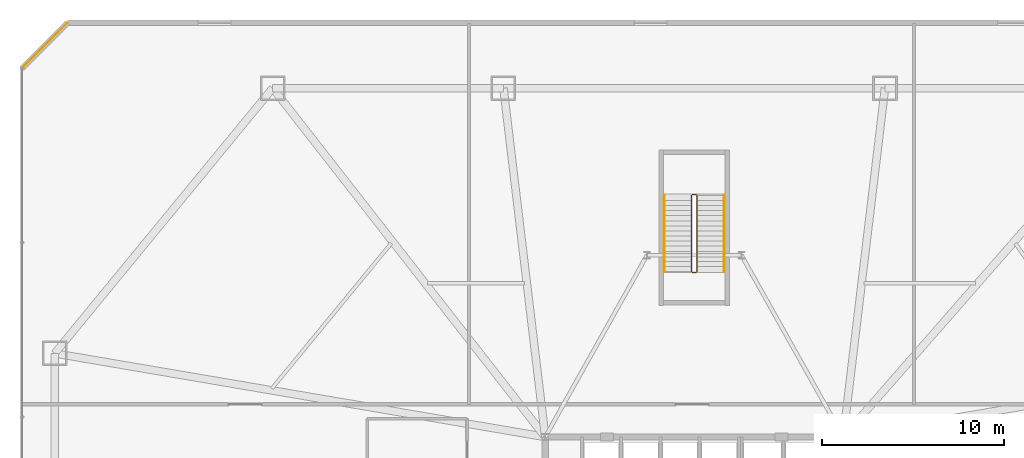
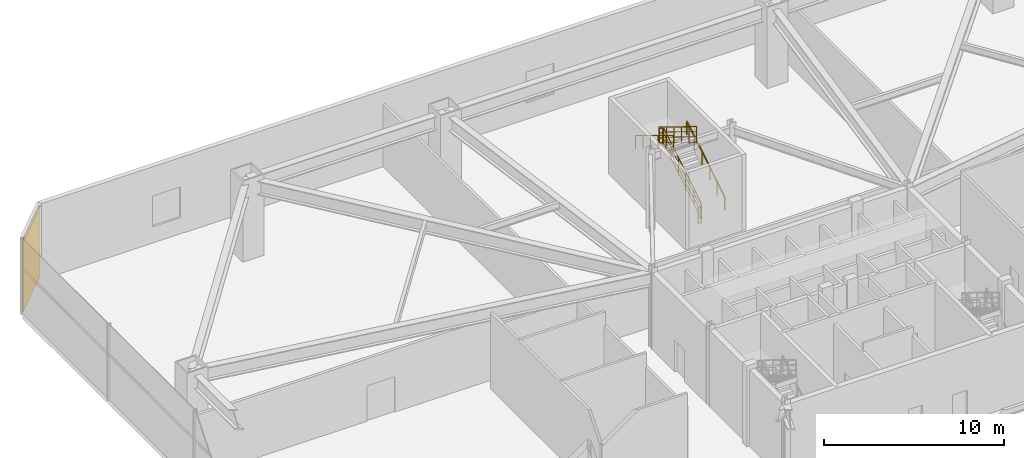
# One storey, part 19 of 20: 6 railings, 1 covering.
"""IFC4 building model written with IfcOpenShell, lengths in metres."""

from ifc_helpers import new_model, si_unit, direction, frame, frame_2d, origin, origin_2d, place, context, subcontext, project, spatial, rectangle, extrude, material, layer, layer_set, type_object, element, save


model = new_model("IFC4")

# Units and contexts
model_context = context("Model", 3, precision=1e-05, world=origin(), true_north=direction((0.0, 1.0)))
body_context = subcontext(model_context, "Body", "Model", "MODEL_VIEW")
ifc_project = project(units=[si_unit("LENGTHUNIT", "METRE"), si_unit("AREAUNIT", "SQUARE_METRE"), si_unit("VOLUMEUNIT", "CUBIC_METRE"), si_unit("PLANEANGLEUNIT", "RADIAN"), si_unit("MASSUNIT", "GRAM", prefix="KILO")], contexts=[model_context])

# Site, building, storey
site_placement = place(None, origin())
site = spatial("IfcSite", under=ifc_project, at=site_placement, CompositionType="ELEMENT")
building_placement = place(site_placement, origin())
building = spatial("IfcBuilding", under=site, at=building_placement, Name="Varakhsha Concourse Tower", CompositionType="ELEMENT")
storey_placement = place(building_placement, frame((0.0, 0.0, 11.0)))
storey = spatial("IfcBuildingStorey", under=building, at=storey_placement, Name="L03", CompositionType="ELEMENT", Elevation=11.0)

# Covering
ifc_material_1 = material(Name="Samarkand Glazed Terracotta Rainscreen Tile 32 mm", Category="masonry")
ifc_layer = layer(ifc_material_1, 0.031982421875, Name="COV-RAINSCREEN-32")
ifc_layer_set = layer_set([ifc_layer], Name="Samarkand Glazed Terracotta Rainscreen Tile 32 mm")
covering_type = type_object("IfcCoveringType", Name="COV-RAINSCREEN-32", PredefinedType="CLADDING", material=ifc_layer_set)
covering_placement = place(storey_placement, frame((5.5, 54.0, 0.10009765625), z_axis=(0.0, 0.0, 1.0), x_axis=(-0.707106781187, -0.707106781187, 0.0)))
element("IfcCovering", 1, at=covering_placement, inside=storey, type_object=covering_type, Name="L03 Terracotta Rainscreen Cladding 5", PredefinedType="CLADDING", context=body_context, shape_type="SweptSolid", body=[
    extrude(rectangle(XDim=3.53564453125, YDim=0.031982421875, at=frame_2d((1.767822265625, 0.0))), origin(), (0.0, 0.0, 1.0), 4.97998046875),
])

# Railings
ifc_material_2 = material(Name="Brushed Austenitic Stainless Steel AISI 316", Category="steel")
railing_type_1 = type_object("IfcRailingType", Name="RL-STAIR-GUARD-1100", PredefinedType="GUARDRAIL", material=ifc_material_2)
railing_1_placement = place(storey_placement, frame((40.14990234375, 40.300048828125, 0.171875)))
element("IfcRailing", 2, at=railing_1_placement, inside=storey, type_object=railing_type_1, Name="L03 ST5 stair guard 1", PredefinedType="GUARDRAIL", context=body_context, shape_type="SweptSolid", body=[
    extrude(rectangle(XDim=0.048095703125, YDim=0.048095703125, at=origin_2d()), frame((0.0, 0.0, 1.1259765625), z_axis=(0.0, 0.852242915053, 0.523146264196), x_axis=(-1.0, 0.0, 0.0)), (0.0, 0.0, 1.0), 4.92822265625),
    extrude(rectangle(XDim=0.028076171875, YDim=0.028076171875, at=origin_2d()), frame((0.0, 0.0, 0.080078125), z_axis=(0.0, 0.852242915053, 0.523146264196), x_axis=(-1.0, 0.0, 0.0)), (0.0, 0.0, 1.0), 4.92822265625),
    extrude(rectangle(XDim=0.028076171875, YDim=0.028076171875, at=origin_2d()), frame((0.0, 0.0, 0.43701171875), z_axis=(0.0, 0.852242915053, 0.523146264196), x_axis=(-1.0, 0.0, 0.0)), (0.0, 0.0, 1.0), 4.92822265625),
    extrude(rectangle(XDim=0.028076171875, YDim=0.028076171875, at=origin_2d()), frame((0.0, 0.0, 0.781982421875), z_axis=(0.0, 0.852242915053, 0.523146264196), x_axis=(-1.0, 0.0, 0.0)), (0.0, 0.0, 1.0), 4.92822265625),
    extrude(rectangle(XDim=0.0419921875, YDim=0.0419921875, at=origin_2d()), origin(), (0.0, 0.0, 1.0), 1.101806640625),
    extrude(rectangle(XDim=0.0419921875, YDim=0.0419921875, at=origin_2d()), frame((0.0, 0.840087890625, 0.515625)), (0.0, 0.0, 1.0), 1.101806640625),
    extrude(rectangle(XDim=0.0419921875, YDim=0.0419921875, at=origin_2d()), frame((0.0, 1.679931640625, 1.03125)), (0.0, 0.0, 1.0), 1.101806640625),
    extrude(rectangle(XDim=0.0419921875, YDim=0.0419921875, at=origin_2d()), frame((0.0, 2.52001953125, 1.546875)), (0.0, 0.0, 1.0), 1.101806640625),
    extrude(rectangle(XDim=0.0419921875, YDim=0.0419921875, at=origin_2d()), frame((0.0, 3.35986328125, 2.0625)), (0.0, 0.0, 1.0), 1.101806640625),
    extrude(rectangle(XDim=0.0419921875, YDim=0.0419921875, at=origin_2d()), frame((0.0, 4.199951171875, 2.578125)), (0.0, 0.0, 1.0), 1.101806640625),
])
railing_2_placement = place(storey_placement, frame((40.10009765625, 44.550048828125, 2.75)))
element("IfcRailing", 3, at=railing_2_placement, inside=storey, type_object=railing_type_1, Name="L03 ST5 stair guard 2", PredefinedType="GUARDRAIL", context=body_context, shape_type="SweptSolid", body=[
    extrude(rectangle(XDim=0.048095703125, YDim=0.048095703125, at=origin_2d()), frame((0.0, 0.0, 1.1259765625), z_axis=(-1.0, 0.0, 0.0), x_axis=(0.0, -1.0, 0.0)), (0.0, 0.0, 1.0), 0.2001953125),
    extrude(rectangle(XDim=0.028076171875, YDim=0.028076171875, at=origin_2d()), frame((0.0, 0.0, 0.080078125), z_axis=(-1.0, 0.0, 0.0), x_axis=(0.0, -1.0, 0.0)), (0.0, 0.0, 1.0), 0.2001953125),
    extrude(rectangle(XDim=0.028076171875, YDim=0.028076171875, at=origin_2d()), frame((0.0, 0.0, 0.43701171875), z_axis=(-1.0, 0.0, 0.0), x_axis=(0.0, -1.0, 0.0)), (0.0, 0.0, 1.0), 0.2001953125),
    extrude(rectangle(XDim=0.028076171875, YDim=0.028076171875, at=origin_2d()), frame((0.0, 0.0, 0.781982421875), z_axis=(-1.0, 0.0, 0.0), x_axis=(0.0, -1.0, 0.0)), (0.0, 0.0, 1.0), 0.2001953125),
    extrude(rectangle(XDim=0.0419921875, YDim=0.0419921875, at=origin_2d()), origin(), (0.0, 0.0, 1.0), 1.101806640625),
    extrude(rectangle(XDim=0.0419921875, YDim=0.0419921875, at=origin_2d()), frame((-0.2001953125, 0.0, 0.0)), (0.0, 0.0, 1.0), 1.101806640625),
])
railing_3_placement = place(storey_placement, frame((39.85009765625, 44.5, 2.921875)))
element("IfcRailing", 4, at=railing_3_placement, inside=storey, type_object=railing_type_1, Name="L03 ST5 stair guard 3", PredefinedType="GUARDRAIL", context=body_context, shape_type="SweptSolid", body=[
    extrude(rectangle(XDim=0.048095703125, YDim=0.048095703125, at=origin_2d()), frame((0.0, 0.0, 1.1259765625), z_axis=(0.0, -0.852242915053, 0.523146264196), x_axis=(1.0, 0.0, 0.0)), (0.0, 0.0, 1.0), 4.92822265625),
    extrude(rectangle(XDim=0.028076171875, YDim=0.028076171875, at=origin_2d()), frame((0.0, 0.0, 0.080078125), z_axis=(0.0, -0.852242915053, 0.523146264196), x_axis=(1.0, 0.0, 0.0)), (0.0, 0.0, 1.0), 4.92822265625),
    extrude(rectangle(XDim=0.028076171875, YDim=0.028076171875, at=origin_2d()), frame((0.0, 0.0, 0.43701171875), z_axis=(0.0, -0.852242915053, 0.523146264196), x_axis=(1.0, 0.0, 0.0)), (0.0, 0.0, 1.0), 4.92822265625),
    extrude(rectangle(XDim=0.028076171875, YDim=0.028076171875, at=origin_2d()), frame((0.0, 0.0, 0.781982421875), z_axis=(0.0, -0.852242915053, 0.523146264196), x_axis=(1.0, 0.0, 0.0)), (0.0, 0.0, 1.0), 4.92822265625),
    extrude(rectangle(XDim=0.0419921875, YDim=0.0419921875, at=origin_2d()), origin(), (0.0, 0.0, 1.0), 1.101806640625),
    extrude(rectangle(XDim=0.0419921875, YDim=0.0419921875, at=origin_2d()), frame((0.0, -0.840087890625, 0.515625)), (0.0, 0.0, 1.0), 1.101806640625),
    extrude(rectangle(XDim=0.0419921875, YDim=0.0419921875, at=origin_2d()), frame((0.0, -1.679931640625, 1.03125)), (0.0, 0.0, 1.0), 1.101806640625),
    extrude(rectangle(XDim=0.0419921875, YDim=0.0419921875, at=origin_2d()), frame((0.0, -2.52001953125, 1.546875)), (0.0, 0.0, 1.0), 1.101806640625),
    extrude(rectangle(XDim=0.0419921875, YDim=0.0419921875, at=origin_2d()), frame((0.0, -3.35986328125, 2.0625)), (0.0, 0.0, 1.0), 1.101806640625),
    extrude(rectangle(XDim=0.0419921875, YDim=0.0419921875, at=origin_2d()), frame((0.0, -4.199951171875, 2.578125)), (0.0, 0.0, 1.0), 1.101806640625),
])
railing_4_placement = place(storey_placement, frame((40.10009765625, 40.25, 0.0)))
element("IfcRailing", 5, at=railing_4_placement, inside=storey, type_object=railing_type_1, Name="L03 ST5 stair guard 4", PredefinedType="GUARDRAIL", context=body_context, shape_type="SweptSolid", body=[
    extrude(rectangle(XDim=0.048095703125, YDim=0.048095703125, at=origin_2d()), frame((0.0, 0.0, 1.1259765625), z_axis=(-1.0, 0.0, 0.0), x_axis=(0.0, -1.0, 0.0)), (0.0, 0.0, 1.0), 0.2001953125),
    extrude(rectangle(XDim=0.028076171875, YDim=0.028076171875, at=origin_2d()), frame((0.0, 0.0, 0.080078125), z_axis=(-1.0, 0.0, 0.0), x_axis=(0.0, -1.0, 0.0)), (0.0, 0.0, 1.0), 0.2001953125),
    extrude(rectangle(XDim=0.028076171875, YDim=0.028076171875, at=origin_2d()), frame((0.0, 0.0, 0.43701171875), z_axis=(-1.0, 0.0, 0.0), x_axis=(0.0, -1.0, 0.0)), (0.0, 0.0, 1.0), 0.2001953125),
    extrude(rectangle(XDim=0.028076171875, YDim=0.028076171875, at=origin_2d()), frame((0.0, 0.0, 0.781982421875), z_axis=(-1.0, 0.0, 0.0), x_axis=(0.0, -1.0, 0.0)), (0.0, 0.0, 1.0), 0.2001953125),
    extrude(rectangle(XDim=0.0419921875, YDim=0.0419921875, at=origin_2d()), origin(), (0.0, 0.0, 1.0), 1.101806640625),
    extrude(rectangle(XDim=0.0419921875, YDim=0.0419921875, at=origin_2d()), frame((-0.2001953125, 0.0, 0.0)), (0.0, 0.0, 1.0), 1.101806640625),
])
railing_type_2 = type_object("IfcRailingType", Name="RL-STAIR-RAIL-915", PredefinedType="HANDRAIL", material=ifc_material_2)
railing_5_placement = place(storey_placement, frame((41.64990234375, 40.300048828125, 0.34375)))
element("IfcRailing", 6, at=railing_5_placement, inside=storey, type_object=railing_type_2, Name="L03 ST5 stair handrail 1", PredefinedType="HANDRAIL", context=body_context, shape_type="SweptSolid", body=[
    extrude(rectangle(XDim=0.048095703125, YDim=0.048095703125, at=origin_2d()), frame((0.0, 0.0, 0.89111328125), z_axis=(0.0, 0.852242915053, 0.523146264196), x_axis=(-1.0, 0.0, 0.0)), (0.0, 0.0, 1.0), 4.92822265625),
    extrude(rectangle(XDim=0.0419921875, YDim=0.0419921875, at=origin_2d()), origin(), (0.0, 0.0, 1.0), 0.866943359375),
    extrude(rectangle(XDim=0.0419921875, YDim=0.0419921875, at=origin_2d()), frame((0.0, 0.840087890625, 0.515625)), (0.0, 0.0, 1.0), 0.866943359375),
    extrude(rectangle(XDim=0.0419921875, YDim=0.0419921875, at=origin_2d()), frame((0.0, 1.679931640625, 1.03125)), (0.0, 0.0, 1.0), 0.866943359375),
    extrude(rectangle(XDim=0.0419921875, YDim=0.0419921875, at=origin_2d()), frame((0.0, 2.52001953125, 1.546875)), (0.0, 0.0, 1.0), 0.866943359375),
    extrude(rectangle(XDim=0.0419921875, YDim=0.0419921875, at=origin_2d()), frame((0.0, 3.35986328125, 2.0625)), (0.0, 0.0, 1.0), 0.866943359375),
    extrude(rectangle(XDim=0.0419921875, YDim=0.0419921875, at=origin_2d()), frame((0.0, 4.199951171875, 2.578125)), (0.0, 0.0, 1.0), 0.866943359375),
])
railing_6_placement = place(storey_placement, frame((38.35009765625, 44.5, 3.09375)))
element("IfcRailing", 7, at=railing_6_placement, inside=storey, type_object=railing_type_2, Name="L03 ST5 stair handrail 2", PredefinedType="HANDRAIL", context=body_context, shape_type="SweptSolid", body=[
    extrude(rectangle(XDim=0.048095703125, YDim=0.048095703125, at=origin_2d()), frame((0.0, 0.0, 0.89111328125), z_axis=(0.0, -0.852242915053, 0.523146264196), x_axis=(1.0, 0.0, 0.0)), (0.0, 0.0, 1.0), 4.92822265625),
    extrude(rectangle(XDim=0.0419921875, YDim=0.0419921875, at=origin_2d()), origin(), (0.0, 0.0, 1.0), 0.866943359375),
    extrude(rectangle(XDim=0.0419921875, YDim=0.0419921875, at=origin_2d()), frame((0.0, -0.840087890625, 0.515625)), (0.0, 0.0, 1.0), 0.866943359375),
    extrude(rectangle(XDim=0.0419921875, YDim=0.0419921875, at=origin_2d()), frame((0.0, -1.679931640625, 1.03125)), (0.0, 0.0, 1.0), 0.866943359375),
    extrude(rectangle(XDim=0.0419921875, YDim=0.0419921875, at=origin_2d()), frame((0.0, -2.52001953125, 1.546875)), (0.0, 0.0, 1.0), 0.866943359375),
    extrude(rectangle(XDim=0.0419921875, YDim=0.0419921875, at=origin_2d()), frame((0.0, -3.35986328125, 2.0625)), (0.0, 0.0, 1.0), 0.866943359375),
    extrude(rectangle(XDim=0.0419921875, YDim=0.0419921875, at=origin_2d()), frame((0.0, -4.199951171875, 2.578125)), (0.0, 0.0, 1.0), 0.866943359375),
])

save(model, "model.ifc")
